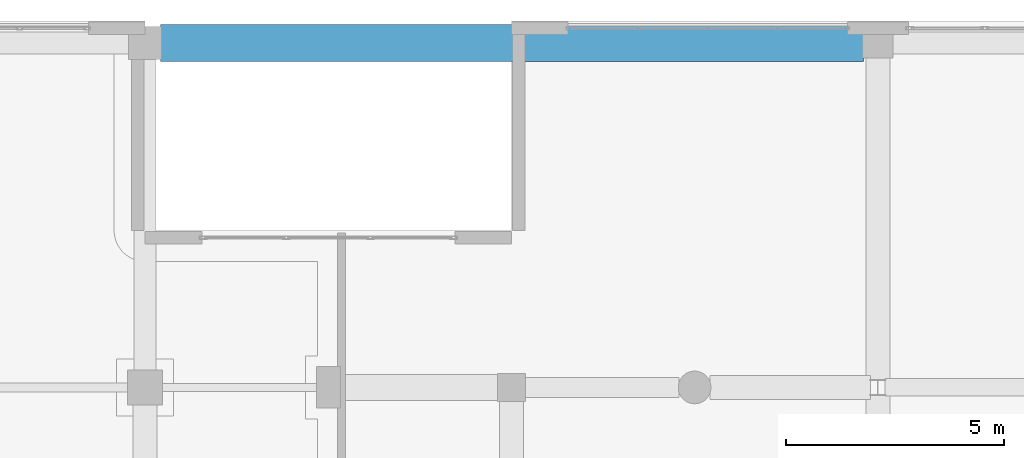
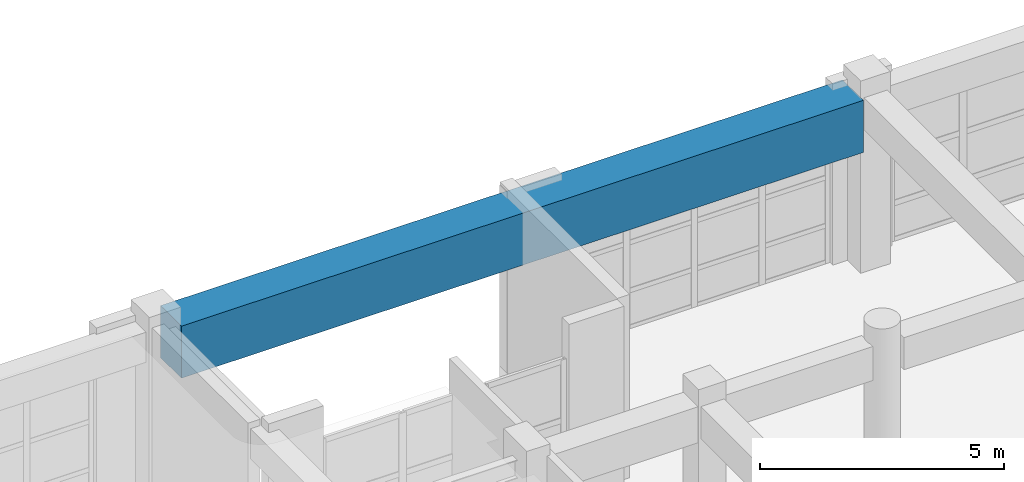
# One storey, part 69 of 123: 1 beam.
"""IFC4 building model written with IfcOpenShell, lengths in metres."""

from ifc_helpers import new_model, si_unit, direction, frame, origin, origin_2d, place, context, subcontext, project, spatial, rectangle, extrude, material, material_profile, profile_set, type_object, element, save


model = new_model("IFC4")

# Units and contexts
model_context = context("Model", 3, precision=1e-05, world=origin(), true_north=direction((0.0, 1.0)))
body_context = subcontext(model_context, "Body", "Model", "MODEL_VIEW")
ifc_project = project(units=[si_unit("LENGTHUNIT", "METRE"), si_unit("AREAUNIT", "SQUARE_METRE"), si_unit("VOLUMEUNIT", "CUBIC_METRE"), si_unit("PLANEANGLEUNIT", "RADIAN"), si_unit("MASSUNIT", "GRAM", prefix="KILO")], contexts=[model_context])

# Site, building, storey
site_placement = place(None, origin())
site = spatial("IfcSite", under=ifc_project, at=site_placement, CompositionType="ELEMENT")
building_placement = place(site_placement, origin())
building = spatial("IfcBuilding", under=site, at=building_placement, Name="Quendrovan Civic Courthouse", CompositionType="ELEMENT")
storey_placement = place(building_placement, frame((0.0, 0.0, 5.39990234375)))
storey = spatial("IfcBuildingStorey", under=building, at=storey_placement, Name="L02", CompositionType="ELEMENT", Elevation=5.39990234375)

# Beam
ifc_material = material(Name="Post-tensioned concrete C50/60", Category="concrete")
ifc_material_profile = material_profile(ifc_material, rectangle(XDim=0.85009765625, YDim=1.300048828125, at=origin_2d()), Name="PT-GRD-850x1300")
ifc_profile_set = profile_set([ifc_material_profile], Name="Post-tensioned concrete C50/60")
beam_type = type_object("IfcBeamType", Name="BM-PT1300", PredefinedType="BEAM", material=ifc_profile_set)
beam_placement = place(storey_placement, frame((92.7548828125, 109.89990234375, 3.710205078125), z_axis=(1.0, 0.0, 0.0), x_axis=(0.0, 1.0, 0.0)))
element("IfcBeam", 1, at=beam_placement, inside=storey, type_object=beam_type, Name="L02 Girder X0598", PredefinedType="BEAM", context=body_context, shape_type="SweptSolid", body=[
    extrude(rectangle(XDim=0.85009765625, YDim=1.300048828125, at=origin_2d()), origin(), (0.0, 0.0, 1.0), 16.115234375),
])

save(model, "model.ifc")
